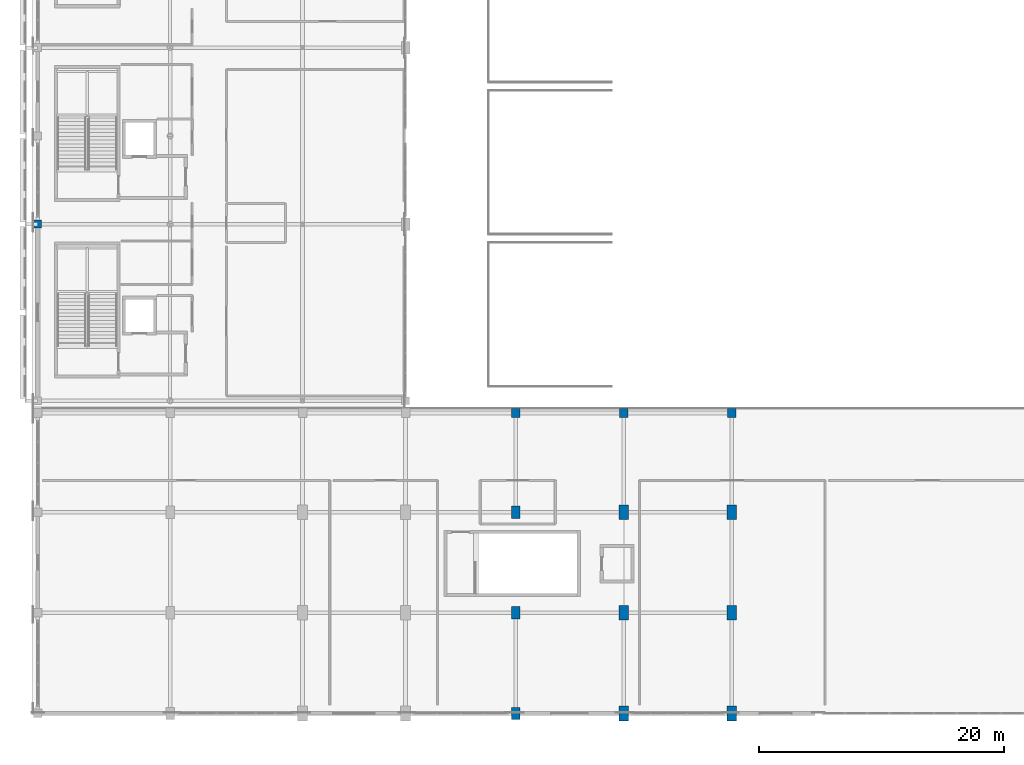
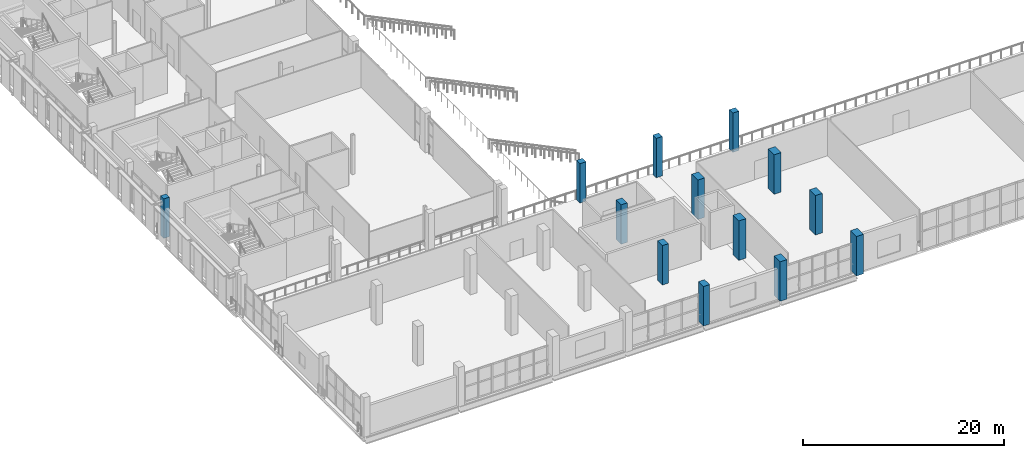
# One storey, part 2 of 104: 13 columns.
"""IFC4 building model written with IfcOpenShell, lengths in metres."""

from ifc_helpers import new_model, si_unit, direction, frame, origin, origin_2d, place, context, subcontext, project, spatial, rectangle, extrude, material, material_profile, profile_set, type_object, element, save


model = new_model("IFC4")

# Units and contexts
model_context = context("Model", 3, precision=1e-05, world=origin(), true_north=direction((0.0, 1.0)))
body_context = subcontext(model_context, "Body", "Model", "MODEL_VIEW")
ifc_project = project(units=[si_unit("LENGTHUNIT", "METRE"), si_unit("AREAUNIT", "SQUARE_METRE"), si_unit("VOLUMEUNIT", "CUBIC_METRE"), si_unit("PLANEANGLEUNIT", "RADIAN"), si_unit("MASSUNIT", "GRAM", prefix="KILO")], contexts=[model_context])

# Site, building, storey
site_placement = place(None, origin())
site = spatial("IfcSite", under=ifc_project, at=site_placement, CompositionType="ELEMENT")
building_placement = place(site_placement, origin())
building = spatial("IfcBuilding", under=site, at=building_placement, Name="Koshinbarg Plaza Stadium", CompositionType="ELEMENT")
storey_placement = place(building_placement, frame((0.0, 0.0, 19.800048828125)))
storey = spatial("IfcBuildingStorey", under=building, at=storey_placement, Name="L04", CompositionType="ELEMENT", Elevation=19.800048828125)

# Columns
ifc_material = material(Name="Concrete C40/50", Category="concrete")
ifc_material_profile_1 = material_profile(ifc_material, rectangle(XDim=0.64990234375, YDim=0.64990234375, at=origin_2d()), Name="RC 650x650")
ifc_profile_set_1 = profile_set([ifc_material_profile_1], Name="Concrete C40/50")
column_type_1 = type_object("IfcColumnType", Name="COL-RC-05", PredefinedType="COLUMN", material=ifc_profile_set_1)
column_placement = place(storey_placement, frame((24.60009765625, 39.89990234375, 0.0), z_axis=(0.0, 0.0, 1.0), x_axis=(1.0, 0.0, 0.0)))
element("IfcColumn", 1, at=column_placement, inside=storey, type_object=column_type_1, Name="L04 column 5/F", PredefinedType="COLUMN", context=body_context, shape_type="SweptSolid", body=[
    extrude(rectangle(XDim=0.64990234375, YDim=0.64990234375, at=origin_2d()), origin(), (0.0, 0.0, 1.0), 4.800048828125),
])
ifc_material_profile_2 = material_profile(ifc_material, rectangle(XDim=0.699951171875, YDim=0.699951171875, at=origin_2d()), Name="RC 700x700")
ifc_profile_set_2 = profile_set([ifc_material_profile_2], Name="Concrete C40/50")
column_type_2 = type_object("IfcColumnType", Name="COL-RC-06", PredefinedType="COLUMN", material=ifc_profile_set_2)
for number, where, z_axis, x_axis, name in (
    (2, (72.39990234375, 24.5, 0.0), (0.0, 0.0, 1.0), (1.0, 0.0, 0.0), "L04 column 10/D"),
    (3, (81.199951171875, 24.5, 0.0), (0.0, 0.0, 1.0), (1.0, 0.0, 0.0), "L04 column 11/D"),
    (4, (63.60009765625, 24.5, 0.0), (0.0, 0.0, 1.0), (1.0, 0.0, 0.0), "L04 column 9/D"),
):
    element("IfcColumn", number, at=place(storey_placement, frame(where, z_axis=z_axis, x_axis=x_axis)), inside=storey, type_object=column_type_2, Name=name, PredefinedType="COLUMN", context=body_context, shape_type="SweptSolid", body=[
        extrude(rectangle(XDim=0.699951171875, YDim=0.699951171875, at=origin_2d()), origin(), (0.0, 0.0, 1.0), 4.800048828125),
    ])
ifc_material_profile_3 = material_profile(ifc_material, rectangle(XDim=0.699951171875, YDim=1.0, at=origin_2d()), Name="RC 700x1000")
ifc_profile_set_3 = profile_set([ifc_material_profile_3], Name="Concrete C40/50")
column_type_3 = type_object("IfcColumnType", Name="COL-RC-13", PredefinedType="COLUMN", material=ifc_profile_set_3)
for number, where, z_axis, x_axis, name in (
    (5, (63.60009765625, 0.0, 0.0), (0.0, 0.0, 1.0), (1.0, 0.0, 0.0), "L04 column 9/A"),
    (6, (63.60009765625, 8.199951171875, 0.0), (0.0, 0.0, 1.0), (1.0, 0.0, 0.0), "L04 column 9/B"),
    (7, (63.60009765625, 16.39990234375, 0.0), (0.0, 0.0, 1.0), (1.0, 0.0, 0.0), "L04 column 9/C"),
):
    element("IfcColumn", number, at=place(storey_placement, frame(where, z_axis=z_axis, x_axis=x_axis)), inside=storey, type_object=column_type_3, Name=name, PredefinedType="COLUMN", context=body_context, shape_type="SweptSolid", body=[
        extrude(rectangle(XDim=0.699951171875, YDim=1.0, at=origin_2d()), origin(), (0.0, 0.0, 1.0), 4.800048828125),
    ])
ifc_material_profile_4 = material_profile(ifc_material, rectangle(XDim=0.800048828125, YDim=1.199951171875, at=origin_2d()), Name="RC 800x1200")
ifc_profile_set_4 = profile_set([ifc_material_profile_4], Name="Concrete C40/50")
column_type_4 = type_object("IfcColumnType", Name="COL-RC-14", PredefinedType="COLUMN", material=ifc_profile_set_4)
for number, where, z_axis, x_axis, name in (
    (8, (72.39990234375, 0.0, 0.0), (0.0, 0.0, 1.0), (1.0, 0.0, 0.0), "L04 column 10/A"),
    (9, (72.39990234375, 8.199951171875, 0.0), (0.0, 0.0, 1.0), (1.0, 0.0, 0.0), "L04 column 10/B"),
    (10, (72.39990234375, 16.39990234375, 0.0), (0.0, 0.0, 1.0), (1.0, 0.0, 0.0), "L04 column 10/C"),
    (11, (81.199951171875, 0.0, 0.0), (0.0, 0.0, 1.0), (1.0, 0.0, 0.0), "L04 column 11/A"),
    (12, (81.199951171875, 8.199951171875, 0.0), (0.0, 0.0, 1.0), (1.0, 0.0, 0.0), "L04 column 11/B"),
    (13, (81.199951171875, 16.39990234375, 0.0), (0.0, 0.0, 1.0), (1.0, 0.0, 0.0), "L04 column 11/C"),
):
    element("IfcColumn", number, at=place(storey_placement, frame(where, z_axis=z_axis, x_axis=x_axis)), inside=storey, type_object=column_type_4, Name=name, PredefinedType="COLUMN", context=body_context, shape_type="SweptSolid", body=[
        extrude(rectangle(XDim=0.800048828125, YDim=1.199951171875, at=origin_2d()), origin(), (0.0, 0.0, 1.0), 4.800048828125),
    ])

save(model, "model.ifc")
